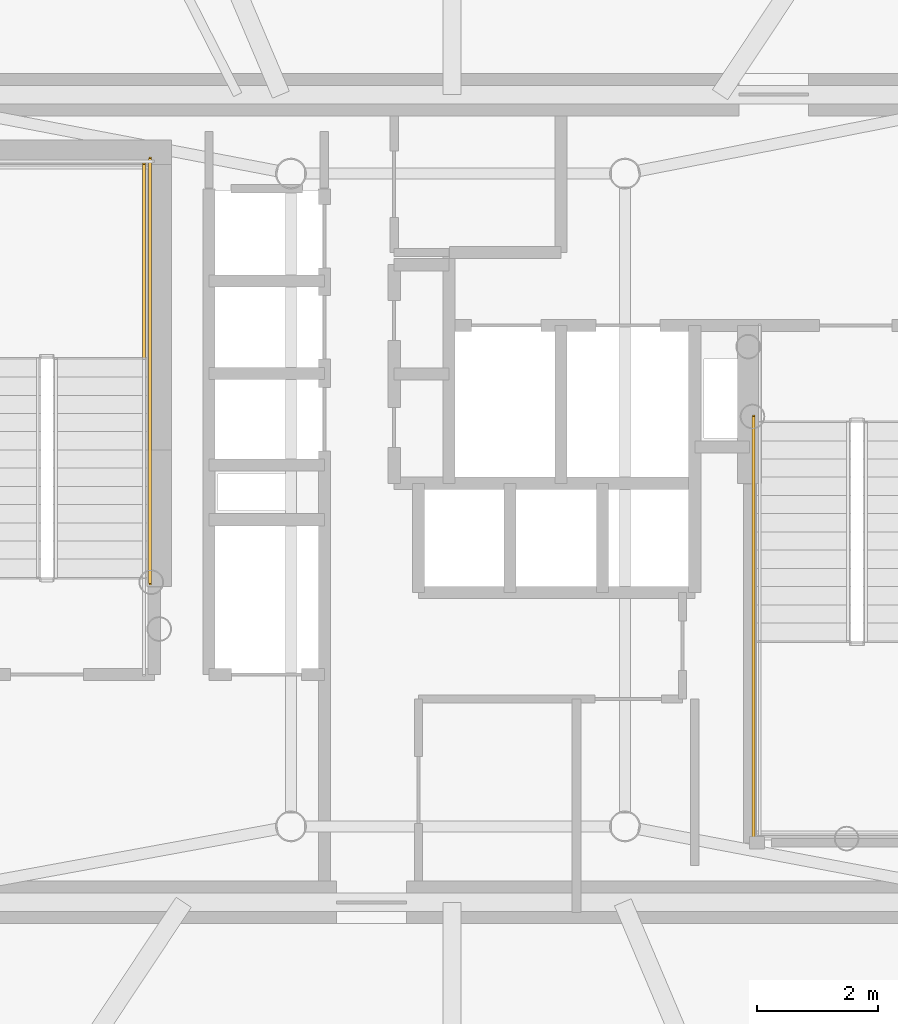
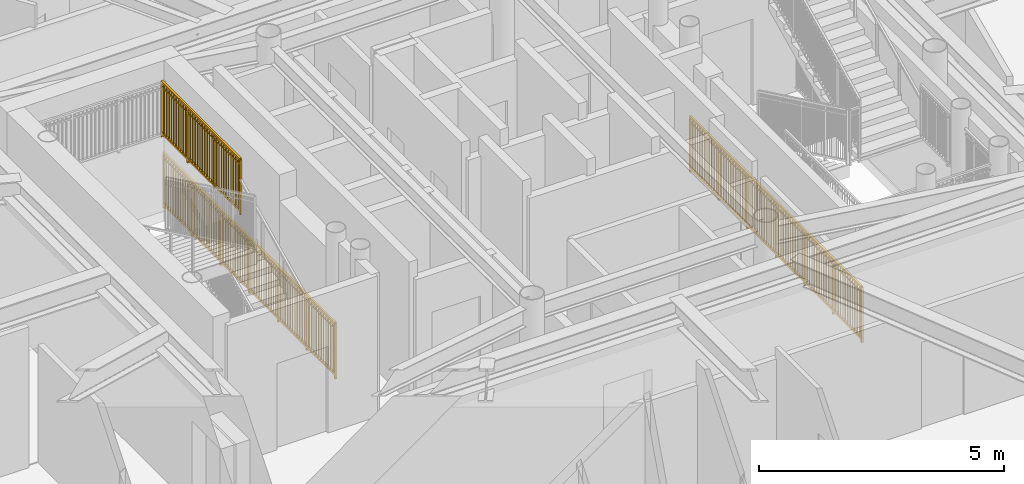
# One storey, part 18 of 22: 3 railings.
"""IFC4 building model written with IfcOpenShell, lengths in metres."""

from ifc_helpers import new_model, si_unit, direction, frame, origin, origin_2d, place, context, subcontext, project, spatial, rectangle, extrude, source, transform, mapped, material, type_object, element, save


model = new_model("IFC4")

# Units and contexts
model_context = context("Model", 3, precision=1e-05, world=origin(), true_north=direction((0.0, 1.0)))
body_context = subcontext(model_context, "Body", "Model", "MODEL_VIEW")
ifc_project = project(units=[si_unit("LENGTHUNIT", "METRE"), si_unit("AREAUNIT", "SQUARE_METRE"), si_unit("VOLUMEUNIT", "CUBIC_METRE"), si_unit("PLANEANGLEUNIT", "RADIAN"), si_unit("MASSUNIT", "GRAM", prefix="KILO")], contexts=[model_context])

# Site, building, storey
site_placement = place(None, origin())
site = spatial("IfcSite", under=ifc_project, at=site_placement, CompositionType="ELEMENT")
building_placement = place(site_placement, origin())
building = spatial("IfcBuilding", under=site, at=building_placement, Name="Linh Dai School and Residence Tower", CompositionType="ELEMENT")
storey_placement = place(building_placement, frame((0.0, 0.0, 214.050048828125)))
storey = spatial("IfcBuildingStorey", under=building, at=storey_placement, Name="L52", CompositionType="ELEMENT", Elevation=214.050048828125)

# Railings
ifc_material = material(Name="Structural Steel S355JR", Category="steel")
railing_type = type_object("IfcRailingType", Name="RL-ST-GUARD-1400", PredefinedType="GUARDRAIL", material=ifc_material)
shared_shape_1 = source(origin(), body_context, "Body", "SweptSolid", [
    extrude(rectangle(XDim=0.048095703125, YDim=0.048095703125, at=origin_2d()), frame((0.0, 0.0, 1.3759765625), z_axis=(0.0, 1.0, 0.0), x_axis=(-1.0, 0.0, 0.0)), (0.0, 0.0, 1.0), 7.0),
    extrude(rectangle(XDim=0.048095703125, YDim=0.048095703125, at=origin_2d()), frame((0.0, 0.0, 0.10009765625), z_axis=(0.0, 1.0, 0.0), x_axis=(-1.0, 0.0, 0.0)), (0.0, 0.0, 1.0), 7.0),
    extrude(rectangle(XDim=0.030029296875, YDim=0.030029296875, at=origin_2d()), frame((0.0, 0.0, 1.239990234375), z_axis=(0.0, 1.0, 0.0), x_axis=(-1.0, 0.0, 0.0)), (0.0, 0.0, 1.0), 7.0),
    extrude(rectangle(XDim=0.02001953125, YDim=0.02001953125, at=origin_2d()), frame((0.0, 0.09716796875, 0.10009765625)), (0.0, 0.0, 1.0), 1.251708984375),
    extrude(rectangle(XDim=0.02001953125, YDim=0.02001953125, at=origin_2d()), frame((0.0, 0.1943359375, 0.10009765625)), (0.0, 0.0, 1.0), 1.251708984375),
    extrude(rectangle(XDim=0.02001953125, YDim=0.02001953125, at=origin_2d()), frame((0.0, 0.291748046875, 0.10009765625)), (0.0, 0.0, 1.0), 1.251708984375),
    extrude(rectangle(XDim=0.02001953125, YDim=0.02001953125, at=origin_2d()), frame((0.0, 0.388916015625, 0.10009765625)), (0.0, 0.0, 1.0), 1.251708984375),
    extrude(rectangle(XDim=0.02001953125, YDim=0.02001953125, at=origin_2d()), frame((0.0, 0.486083984375, 0.10009765625)), (0.0, 0.0, 1.0), 1.251708984375),
    extrude(rectangle(XDim=0.02001953125, YDim=0.02001953125, at=origin_2d()), frame((0.0, 0.583251953125, 0.10009765625)), (0.0, 0.0, 1.0), 1.251708984375),
    extrude(rectangle(XDim=0.02001953125, YDim=0.02001953125, at=origin_2d()), frame((0.0, 0.6806640625, 0.10009765625)), (0.0, 0.0, 1.0), 1.251708984375),
    extrude(rectangle(XDim=0.02001953125, YDim=0.02001953125, at=origin_2d()), frame((0.0, 0.77783203125, 0.10009765625)), (0.0, 0.0, 1.0), 1.251708984375),
    extrude(rectangle(XDim=0.02001953125, YDim=0.02001953125, at=origin_2d()), frame((0.0, 0.875, 0.10009765625)), (0.0, 0.0, 1.0), 1.251708984375),
    extrude(rectangle(XDim=0.02001953125, YDim=0.02001953125, at=origin_2d()), frame((0.0, 0.97216796875, 0.10009765625)), (0.0, 0.0, 1.0), 1.251708984375),
    extrude(rectangle(XDim=0.02001953125, YDim=0.02001953125, at=origin_2d()), frame((0.0, 1.0693359375, 0.10009765625)), (0.0, 0.0, 1.0), 1.251708984375),
    extrude(rectangle(XDim=0.02001953125, YDim=0.02001953125, at=origin_2d()), frame((0.0, 1.263916015625, 0.10009765625)), (0.0, 0.0, 1.0), 1.251708984375),
    extrude(rectangle(XDim=0.02001953125, YDim=0.02001953125, at=origin_2d()), frame((0.0, 1.361083984375, 0.10009765625)), (0.0, 0.0, 1.0), 1.251708984375),
    extrude(rectangle(XDim=0.02001953125, YDim=0.02001953125, at=origin_2d()), frame((0.0, 1.458251953125, 0.10009765625)), (0.0, 0.0, 1.0), 1.251708984375),
    extrude(rectangle(XDim=0.02001953125, YDim=0.02001953125, at=origin_2d()), frame((0.0, 1.5556640625, 0.10009765625)), (0.0, 0.0, 1.0), 1.251708984375),
    extrude(rectangle(XDim=0.02001953125, YDim=0.02001953125, at=origin_2d()), frame((0.0, 1.65283203125, 0.10009765625)), (0.0, 0.0, 1.0), 1.251708984375),
    extrude(rectangle(XDim=0.02001953125, YDim=0.02001953125, at=origin_2d()), frame((0.0, 1.75, 0.10009765625)), (0.0, 0.0, 1.0), 1.251708984375),
    extrude(rectangle(XDim=0.02001953125, YDim=0.02001953125, at=origin_2d()), frame((0.0, 1.84716796875, 0.10009765625)), (0.0, 0.0, 1.0), 1.251708984375),
    extrude(rectangle(XDim=0.02001953125, YDim=0.02001953125, at=origin_2d()), frame((0.0, 1.9443359375, 0.10009765625)), (0.0, 0.0, 1.0), 1.251708984375),
    extrude(rectangle(XDim=0.02001953125, YDim=0.02001953125, at=origin_2d()), frame((0.0, 2.041748046875, 0.10009765625)), (0.0, 0.0, 1.0), 1.251708984375),
    extrude(rectangle(XDim=0.02001953125, YDim=0.02001953125, at=origin_2d()), frame((0.0, 2.138916015625, 0.10009765625)), (0.0, 0.0, 1.0), 1.251708984375),
    extrude(rectangle(XDim=0.02001953125, YDim=0.02001953125, at=origin_2d()), frame((0.0, 2.236083984375, 0.10009765625)), (0.0, 0.0, 1.0), 1.251708984375),
    extrude(rectangle(XDim=0.02001953125, YDim=0.02001953125, at=origin_2d()), frame((0.0, 2.4306640625, 0.10009765625)), (0.0, 0.0, 1.0), 1.251708984375),
    extrude(rectangle(XDim=0.02001953125, YDim=0.02001953125, at=origin_2d()), frame((0.0, 2.52783203125, 0.10009765625)), (0.0, 0.0, 1.0), 1.251708984375),
    extrude(rectangle(XDim=0.02001953125, YDim=0.02001953125, at=origin_2d()), frame((0.0, 2.625, 0.10009765625)), (0.0, 0.0, 1.0), 1.251708984375),
    extrude(rectangle(XDim=0.02001953125, YDim=0.02001953125, at=origin_2d()), frame((0.0, 2.72216796875, 0.10009765625)), (0.0, 0.0, 1.0), 1.251708984375),
    extrude(rectangle(XDim=0.02001953125, YDim=0.02001953125, at=origin_2d()), frame((0.0, 2.8193359375, 0.10009765625)), (0.0, 0.0, 1.0), 1.251708984375),
    extrude(rectangle(XDim=0.02001953125, YDim=0.02001953125, at=origin_2d()), frame((0.0, 2.916748046875, 0.10009765625)), (0.0, 0.0, 1.0), 1.251708984375),
    extrude(rectangle(XDim=0.02001953125, YDim=0.02001953125, at=origin_2d()), frame((0.0, 3.013916015625, 0.10009765625)), (0.0, 0.0, 1.0), 1.251708984375),
    extrude(rectangle(XDim=0.02001953125, YDim=0.02001953125, at=origin_2d()), frame((0.0, 3.111083984375, 0.10009765625)), (0.0, 0.0, 1.0), 1.251708984375),
    extrude(rectangle(XDim=0.02001953125, YDim=0.02001953125, at=origin_2d()), frame((0.0, 3.208251953125, 0.10009765625)), (0.0, 0.0, 1.0), 1.251708984375),
    extrude(rectangle(XDim=0.02001953125, YDim=0.02001953125, at=origin_2d()), frame((0.0, 3.3056640625, 0.10009765625)), (0.0, 0.0, 1.0), 1.251708984375),
    extrude(rectangle(XDim=0.02001953125, YDim=0.02001953125, at=origin_2d()), frame((0.0, 3.40283203125, 0.10009765625)), (0.0, 0.0, 1.0), 1.251708984375),
    extrude(rectangle(XDim=0.02001953125, YDim=0.02001953125, at=origin_2d()), frame((0.0, 3.59716796875, 0.10009765625)), (0.0, 0.0, 1.0), 1.251708984375),
    extrude(rectangle(XDim=0.02001953125, YDim=0.02001953125, at=origin_2d()), frame((0.0, 3.6943359375, 0.10009765625)), (0.0, 0.0, 1.0), 1.251708984375),
    extrude(rectangle(XDim=0.02001953125, YDim=0.02001953125, at=origin_2d()), frame((0.0, 3.791748046875, 0.10009765625)), (0.0, 0.0, 1.0), 1.251708984375),
    extrude(rectangle(XDim=0.02001953125, YDim=0.02001953125, at=origin_2d()), frame((0.0, 3.888916015625, 0.10009765625)), (0.0, 0.0, 1.0), 1.251708984375),
    extrude(rectangle(XDim=0.02001953125, YDim=0.02001953125, at=origin_2d()), frame((0.0, 3.986083984375, 0.10009765625)), (0.0, 0.0, 1.0), 1.251708984375),
    extrude(rectangle(XDim=0.02001953125, YDim=0.02001953125, at=origin_2d()), frame((0.0, 4.083251953125, 0.10009765625)), (0.0, 0.0, 1.0), 1.251708984375),
    extrude(rectangle(XDim=0.02001953125, YDim=0.02001953125, at=origin_2d()), frame((0.0, 4.1806640625, 0.10009765625)), (0.0, 0.0, 1.0), 1.251708984375),
    extrude(rectangle(XDim=0.02001953125, YDim=0.02001953125, at=origin_2d()), frame((0.0, 4.27783203125, 0.10009765625)), (0.0, 0.0, 1.0), 1.251708984375),
    extrude(rectangle(XDim=0.02001953125, YDim=0.02001953125, at=origin_2d()), frame((0.0, 4.375, 0.10009765625)), (0.0, 0.0, 1.0), 1.251708984375),
    extrude(rectangle(XDim=0.02001953125, YDim=0.02001953125, at=origin_2d()), frame((0.0, 4.47216796875, 0.10009765625)), (0.0, 0.0, 1.0), 1.251708984375),
    extrude(rectangle(XDim=0.02001953125, YDim=0.02001953125, at=origin_2d()), frame((0.0, 4.5693359375, 0.10009765625)), (0.0, 0.0, 1.0), 1.251708984375),
    extrude(rectangle(XDim=0.02001953125, YDim=0.02001953125, at=origin_2d()), frame((0.0, 4.763916015625, 0.10009765625)), (0.0, 0.0, 1.0), 1.251708984375),
    extrude(rectangle(XDim=0.02001953125, YDim=0.02001953125, at=origin_2d()), frame((0.0, 4.861083984375, 0.10009765625)), (0.0, 0.0, 1.0), 1.251708984375),
    extrude(rectangle(XDim=0.02001953125, YDim=0.02001953125, at=origin_2d()), frame((0.0, 4.958251953125, 0.10009765625)), (0.0, 0.0, 1.0), 1.251708984375),
    extrude(rectangle(XDim=0.02001953125, YDim=0.02001953125, at=origin_2d()), frame((0.0, 5.0556640625, 0.10009765625)), (0.0, 0.0, 1.0), 1.251708984375),
    extrude(rectangle(XDim=0.02001953125, YDim=0.02001953125, at=origin_2d()), frame((0.0, 5.15283203125, 0.10009765625)), (0.0, 0.0, 1.0), 1.251708984375),
    extrude(rectangle(XDim=0.02001953125, YDim=0.02001953125, at=origin_2d()), frame((0.0, 5.25, 0.10009765625)), (0.0, 0.0, 1.0), 1.251708984375),
    extrude(rectangle(XDim=0.02001953125, YDim=0.02001953125, at=origin_2d()), frame((0.0, 5.34716796875, 0.10009765625)), (0.0, 0.0, 1.0), 1.251708984375),
    extrude(rectangle(XDim=0.02001953125, YDim=0.02001953125, at=origin_2d()), frame((0.0, 5.4443359375, 0.10009765625)), (0.0, 0.0, 1.0), 1.251708984375),
    extrude(rectangle(XDim=0.02001953125, YDim=0.02001953125, at=origin_2d()), frame((0.0, 5.541748046875, 0.10009765625)), (0.0, 0.0, 1.0), 1.251708984375),
    extrude(rectangle(XDim=0.02001953125, YDim=0.02001953125, at=origin_2d()), frame((0.0, 5.638916015625, 0.10009765625)), (0.0, 0.0, 1.0), 1.251708984375),
    extrude(rectangle(XDim=0.02001953125, YDim=0.02001953125, at=origin_2d()), frame((0.0, 5.736083984375, 0.10009765625)), (0.0, 0.0, 1.0), 1.251708984375),
    extrude(rectangle(XDim=0.02001953125, YDim=0.02001953125, at=origin_2d()), frame((0.0, 5.9306640625, 0.10009765625)), (0.0, 0.0, 1.0), 1.251708984375),
    extrude(rectangle(XDim=0.02001953125, YDim=0.02001953125, at=origin_2d()), frame((0.0, 6.02783203125, 0.10009765625)), (0.0, 0.0, 1.0), 1.251708984375),
    extrude(rectangle(XDim=0.02001953125, YDim=0.02001953125, at=origin_2d()), frame((0.0, 6.125, 0.10009765625)), (0.0, 0.0, 1.0), 1.251708984375),
    extrude(rectangle(XDim=0.02001953125, YDim=0.02001953125, at=origin_2d()), frame((0.0, 6.22216796875, 0.10009765625)), (0.0, 0.0, 1.0), 1.251708984375),
    extrude(rectangle(XDim=0.02001953125, YDim=0.02001953125, at=origin_2d()), frame((0.0, 6.3193359375, 0.10009765625)), (0.0, 0.0, 1.0), 1.251708984375),
    extrude(rectangle(XDim=0.02001953125, YDim=0.02001953125, at=origin_2d()), frame((0.0, 6.416748046875, 0.10009765625)), (0.0, 0.0, 1.0), 1.251708984375),
    extrude(rectangle(XDim=0.02001953125, YDim=0.02001953125, at=origin_2d()), frame((0.0, 6.513916015625, 0.10009765625)), (0.0, 0.0, 1.0), 1.251708984375),
    extrude(rectangle(XDim=0.02001953125, YDim=0.02001953125, at=origin_2d()), frame((0.0, 6.611083984375, 0.10009765625)), (0.0, 0.0, 1.0), 1.251708984375),
    extrude(rectangle(XDim=0.02001953125, YDim=0.02001953125, at=origin_2d()), frame((0.0, 6.708251953125, 0.10009765625)), (0.0, 0.0, 1.0), 1.251708984375),
    extrude(rectangle(XDim=0.02001953125, YDim=0.02001953125, at=origin_2d()), frame((0.0, 6.8056640625, 0.10009765625)), (0.0, 0.0, 1.0), 1.251708984375),
    extrude(rectangle(XDim=0.02001953125, YDim=0.02001953125, at=origin_2d()), frame((0.0, 6.90283203125, 0.10009765625)), (0.0, 0.0, 1.0), 1.251708984375),
    extrude(rectangle(XDim=0.0419921875, YDim=0.0419921875, at=origin_2d()), origin(), (0.0, 0.0, 1.0), 1.3759765625),
    extrude(rectangle(XDim=0.0419921875, YDim=0.0419921875, at=origin_2d()), frame((0.0, 1.166748046875, 0.0)), (0.0, 0.0, 1.0), 1.3759765625),
    extrude(rectangle(XDim=0.0419921875, YDim=0.0419921875, at=origin_2d()), frame((0.0, 2.333251953125, 0.0)), (0.0, 0.0, 1.0), 1.3759765625),
    extrude(rectangle(XDim=0.0419921875, YDim=0.0419921875, at=origin_2d()), frame((0.0, 3.5, 0.0)), (0.0, 0.0, 1.0), 1.3759765625),
    extrude(rectangle(XDim=0.0419921875, YDim=0.0419921875, at=origin_2d()), frame((0.0, 4.666748046875, 0.0)), (0.0, 0.0, 1.0), 1.3759765625),
    extrude(rectangle(XDim=0.0419921875, YDim=0.0419921875, at=origin_2d()), frame((0.0, 5.833251953125, 0.0)), (0.0, 0.0, 1.0), 1.3759765625),
    extrude(rectangle(XDim=0.0419921875, YDim=0.0419921875, at=origin_2d()), frame((0.0, 7.0, 0.0)), (0.0, 0.0, 1.0), 1.3759765625),
])
railing_1_placement = place(storey_placement, frame((31.030029296875, 25.60009765625, 0.0)))
element("IfcRailing", 1, at=railing_1_placement, inside=storey, type_object=railing_type, Name="L52 ST1 stair guard 10", PredefinedType="GUARDRAIL", context=body_context, shape_type="MappedRepresentation", body=[
    mapped(shared_shape_1, transform((0.0, 0.0, 0.0), x_axis=(1.0, 0.0, 0.0), y_axis=(0.0, 1.0, 0.0), z_axis=(0.0, 0.0, 1.0), scale=1.0)),
])
shared_shape_2 = source(origin(), body_context, "Body", "SweptSolid", [
    extrude(rectangle(XDim=0.048095703125, YDim=0.048095703125, at=origin_2d()), frame((0.0, 0.0, 1.3759765625), z_axis=(0.0, 1.0, 0.0), x_axis=(-1.0, 0.0, 0.0)), (0.0, 0.0, 1.0), 3.199951171875),
    extrude(rectangle(XDim=0.048095703125, YDim=0.048095703125, at=origin_2d()), frame((0.0, 0.0, 0.10009765625), z_axis=(0.0, 1.0, 0.0), x_axis=(-1.0, 0.0, 0.0)), (0.0, 0.0, 1.0), 3.199951171875),
    extrude(rectangle(XDim=0.030029296875, YDim=0.030029296875, at=origin_2d()), frame((0.0, 0.0, 1.239990234375), z_axis=(0.0, 1.0, 0.0), x_axis=(-1.0, 0.0, 0.0)), (0.0, 0.0, 1.0), 3.199951171875),
    extrude(rectangle(XDim=0.02001953125, YDim=0.02001953125, at=origin_2d()), frame((0.0, 0.096923828125, 0.10009765625)), (0.0, 0.0, 1.0), 1.251708984375),
    extrude(rectangle(XDim=0.02001953125, YDim=0.02001953125, at=origin_2d()), frame((0.0, 0.19384765625, 0.10009765625)), (0.0, 0.0, 1.0), 1.251708984375),
    extrude(rectangle(XDim=0.02001953125, YDim=0.02001953125, at=origin_2d()), frame((0.0, 0.291015625, 0.10009765625)), (0.0, 0.0, 1.0), 1.251708984375),
    extrude(rectangle(XDim=0.02001953125, YDim=0.02001953125, at=origin_2d()), frame((0.0, 0.387939453125, 0.10009765625)), (0.0, 0.0, 1.0), 1.251708984375),
    extrude(rectangle(XDim=0.02001953125, YDim=0.02001953125, at=origin_2d()), frame((0.0, 0.48486328125, 0.10009765625)), (0.0, 0.0, 1.0), 1.251708984375),
    extrude(rectangle(XDim=0.02001953125, YDim=0.02001953125, at=origin_2d()), frame((0.0, 0.581787109375, 0.10009765625)), (0.0, 0.0, 1.0), 1.251708984375),
    extrude(rectangle(XDim=0.02001953125, YDim=0.02001953125, at=origin_2d()), frame((0.0, 0.6787109375, 0.10009765625)), (0.0, 0.0, 1.0), 1.251708984375),
    extrude(rectangle(XDim=0.02001953125, YDim=0.02001953125, at=origin_2d()), frame((0.0, 0.775634765625, 0.10009765625)), (0.0, 0.0, 1.0), 1.251708984375),
    extrude(rectangle(XDim=0.02001953125, YDim=0.02001953125, at=origin_2d()), frame((0.0, 0.872802734375, 0.10009765625)), (0.0, 0.0, 1.0), 1.251708984375),
    extrude(rectangle(XDim=0.02001953125, YDim=0.02001953125, at=origin_2d()), frame((0.0, 0.9697265625, 0.10009765625)), (0.0, 0.0, 1.0), 1.251708984375),
    extrude(rectangle(XDim=0.02001953125, YDim=0.02001953125, at=origin_2d()), frame((0.0, 1.16357421875, 0.10009765625)), (0.0, 0.0, 1.0), 1.251708984375),
    extrude(rectangle(XDim=0.02001953125, YDim=0.02001953125, at=origin_2d()), frame((0.0, 1.260498046875, 0.10009765625)), (0.0, 0.0, 1.0), 1.251708984375),
    extrude(rectangle(XDim=0.02001953125, YDim=0.02001953125, at=origin_2d()), frame((0.0, 1.357666015625, 0.10009765625)), (0.0, 0.0, 1.0), 1.251708984375),
    extrude(rectangle(XDim=0.02001953125, YDim=0.02001953125, at=origin_2d()), frame((0.0, 1.45458984375, 0.10009765625)), (0.0, 0.0, 1.0), 1.251708984375),
    extrude(rectangle(XDim=0.02001953125, YDim=0.02001953125, at=origin_2d()), frame((0.0, 1.551513671875, 0.10009765625)), (0.0, 0.0, 1.0), 1.251708984375),
    extrude(rectangle(XDim=0.02001953125, YDim=0.02001953125, at=origin_2d()), frame((0.0, 1.6484375, 0.10009765625)), (0.0, 0.0, 1.0), 1.251708984375),
    extrude(rectangle(XDim=0.02001953125, YDim=0.02001953125, at=origin_2d()), frame((0.0, 1.745361328125, 0.10009765625)), (0.0, 0.0, 1.0), 1.251708984375),
    extrude(rectangle(XDim=0.02001953125, YDim=0.02001953125, at=origin_2d()), frame((0.0, 1.84228515625, 0.10009765625)), (0.0, 0.0, 1.0), 1.251708984375),
    extrude(rectangle(XDim=0.02001953125, YDim=0.02001953125, at=origin_2d()), frame((0.0, 1.939453125, 0.10009765625)), (0.0, 0.0, 1.0), 1.251708984375),
    extrude(rectangle(XDim=0.02001953125, YDim=0.02001953125, at=origin_2d()), frame((0.0, 2.036376953125, 0.10009765625)), (0.0, 0.0, 1.0), 1.251708984375),
    extrude(rectangle(XDim=0.02001953125, YDim=0.02001953125, at=origin_2d()), frame((0.0, 2.230224609375, 0.10009765625)), (0.0, 0.0, 1.0), 1.251708984375),
    extrude(rectangle(XDim=0.02001953125, YDim=0.02001953125, at=origin_2d()), frame((0.0, 2.3271484375, 0.10009765625)), (0.0, 0.0, 1.0), 1.251708984375),
    extrude(rectangle(XDim=0.02001953125, YDim=0.02001953125, at=origin_2d()), frame((0.0, 2.42431640625, 0.10009765625)), (0.0, 0.0, 1.0), 1.251708984375),
    extrude(rectangle(XDim=0.02001953125, YDim=0.02001953125, at=origin_2d()), frame((0.0, 2.521240234375, 0.10009765625)), (0.0, 0.0, 1.0), 1.251708984375),
    extrude(rectangle(XDim=0.02001953125, YDim=0.02001953125, at=origin_2d()), frame((0.0, 2.6181640625, 0.10009765625)), (0.0, 0.0, 1.0), 1.251708984375),
    extrude(rectangle(XDim=0.02001953125, YDim=0.02001953125, at=origin_2d()), frame((0.0, 2.715087890625, 0.10009765625)), (0.0, 0.0, 1.0), 1.251708984375),
    extrude(rectangle(XDim=0.02001953125, YDim=0.02001953125, at=origin_2d()), frame((0.0, 2.81201171875, 0.10009765625)), (0.0, 0.0, 1.0), 1.251708984375),
    extrude(rectangle(XDim=0.02001953125, YDim=0.02001953125, at=origin_2d()), frame((0.0, 2.908935546875, 0.10009765625)), (0.0, 0.0, 1.0), 1.251708984375),
    extrude(rectangle(XDim=0.02001953125, YDim=0.02001953125, at=origin_2d()), frame((0.0, 3.006103515625, 0.10009765625)), (0.0, 0.0, 1.0), 1.251708984375),
    extrude(rectangle(XDim=0.02001953125, YDim=0.02001953125, at=origin_2d()), frame((0.0, 3.10302734375, 0.10009765625)), (0.0, 0.0, 1.0), 1.251708984375),
    extrude(rectangle(XDim=0.0419921875, YDim=0.0419921875, at=origin_2d()), origin(), (0.0, 0.0, 1.0), 1.3759765625),
    extrude(rectangle(XDim=0.0419921875, YDim=0.0419921875, at=origin_2d()), frame((0.0, 1.066650390625, 0.0)), (0.0, 0.0, 1.0), 1.3759765625),
    extrude(rectangle(XDim=0.0419921875, YDim=0.0419921875, at=origin_2d()), frame((0.0, 2.13330078125, 0.0)), (0.0, 0.0, 1.0), 1.3759765625),
    extrude(rectangle(XDim=0.0419921875, YDim=0.0419921875, at=origin_2d()), frame((0.0, 3.199951171875, 0.0)), (0.0, 0.0, 1.0), 1.3759765625),
])
railing_2_placement = place(storey_placement, frame((30.929931640625, 29.300048828125, 1.875)))
element("IfcRailing", 2, at=railing_2_placement, inside=storey, type_object=railing_type, Name="L52 ST1 stair guard 3", PredefinedType="GUARDRAIL", context=body_context, shape_type="MappedRepresentation", body=[
    mapped(shared_shape_2, transform((0.0, 0.0, 0.0), x_axis=(1.0, 0.0, 0.0), y_axis=(0.0, 1.0, 0.0), z_axis=(0.0, 0.0, 1.0), scale=1.0)),
])
shared_shape_3 = source(origin(), body_context, "Body", "SweptSolid", [
    extrude(rectangle(XDim=0.048095703125, YDim=0.048095703125, at=origin_2d()), frame((0.0, 0.0, 1.3759765625), z_axis=(0.0, -1.0, 0.0), x_axis=(1.0, 0.0, 0.0)), (0.0, 0.0, 1.0), 7.0),
    extrude(rectangle(XDim=0.048095703125, YDim=0.048095703125, at=origin_2d()), frame((0.0, 0.0, 0.10009765625), z_axis=(0.0, -1.0, 0.0), x_axis=(1.0, 0.0, 0.0)), (0.0, 0.0, 1.0), 7.0),
    extrude(rectangle(XDim=0.030029296875, YDim=0.030029296875, at=origin_2d()), frame((0.0, 0.0, 1.239990234375), z_axis=(0.0, -1.0, 0.0), x_axis=(1.0, 0.0, 0.0)), (0.0, 0.0, 1.0), 7.0),
    extrude(rectangle(XDim=0.02001953125, YDim=0.02001953125, at=origin_2d()), frame((0.0, -0.09716796875, 0.10009765625)), (0.0, 0.0, 1.0), 1.251708984375),
    extrude(rectangle(XDim=0.02001953125, YDim=0.02001953125, at=origin_2d()), frame((0.0, -0.1943359375, 0.10009765625)), (0.0, 0.0, 1.0), 1.251708984375),
    extrude(rectangle(XDim=0.02001953125, YDim=0.02001953125, at=origin_2d()), frame((0.0, -0.291748046875, 0.10009765625)), (0.0, 0.0, 1.0), 1.251708984375),
    extrude(rectangle(XDim=0.02001953125, YDim=0.02001953125, at=origin_2d()), frame((0.0, -0.388916015625, 0.10009765625)), (0.0, 0.0, 1.0), 1.251708984375),
    extrude(rectangle(XDim=0.02001953125, YDim=0.02001953125, at=origin_2d()), frame((0.0, -0.486083984375, 0.10009765625)), (0.0, 0.0, 1.0), 1.251708984375),
    extrude(rectangle(XDim=0.02001953125, YDim=0.02001953125, at=origin_2d()), frame((0.0, -0.583251953125, 0.10009765625)), (0.0, 0.0, 1.0), 1.251708984375),
    extrude(rectangle(XDim=0.02001953125, YDim=0.02001953125, at=origin_2d()), frame((0.0, -0.6806640625, 0.10009765625)), (0.0, 0.0, 1.0), 1.251708984375),
    extrude(rectangle(XDim=0.02001953125, YDim=0.02001953125, at=origin_2d()), frame((0.0, -0.77783203125, 0.10009765625)), (0.0, 0.0, 1.0), 1.251708984375),
    extrude(rectangle(XDim=0.02001953125, YDim=0.02001953125, at=origin_2d()), frame((0.0, -0.875, 0.10009765625)), (0.0, 0.0, 1.0), 1.251708984375),
    extrude(rectangle(XDim=0.02001953125, YDim=0.02001953125, at=origin_2d()), frame((0.0, -0.97216796875, 0.10009765625)), (0.0, 0.0, 1.0), 1.251708984375),
    extrude(rectangle(XDim=0.02001953125, YDim=0.02001953125, at=origin_2d()), frame((0.0, -1.0693359375, 0.10009765625)), (0.0, 0.0, 1.0), 1.251708984375),
    extrude(rectangle(XDim=0.02001953125, YDim=0.02001953125, at=origin_2d()), frame((0.0, -1.263916015625, 0.10009765625)), (0.0, 0.0, 1.0), 1.251708984375),
    extrude(rectangle(XDim=0.02001953125, YDim=0.02001953125, at=origin_2d()), frame((0.0, -1.361083984375, 0.10009765625)), (0.0, 0.0, 1.0), 1.251708984375),
    extrude(rectangle(XDim=0.02001953125, YDim=0.02001953125, at=origin_2d()), frame((0.0, -1.458251953125, 0.10009765625)), (0.0, 0.0, 1.0), 1.251708984375),
    extrude(rectangle(XDim=0.02001953125, YDim=0.02001953125, at=origin_2d()), frame((0.0, -1.5556640625, 0.10009765625)), (0.0, 0.0, 1.0), 1.251708984375),
    extrude(rectangle(XDim=0.02001953125, YDim=0.02001953125, at=origin_2d()), frame((0.0, -1.65283203125, 0.10009765625)), (0.0, 0.0, 1.0), 1.251708984375),
    extrude(rectangle(XDim=0.02001953125, YDim=0.02001953125, at=origin_2d()), frame((0.0, -1.75, 0.10009765625)), (0.0, 0.0, 1.0), 1.251708984375),
    extrude(rectangle(XDim=0.02001953125, YDim=0.02001953125, at=origin_2d()), frame((0.0, -1.84716796875, 0.10009765625)), (0.0, 0.0, 1.0), 1.251708984375),
    extrude(rectangle(XDim=0.02001953125, YDim=0.02001953125, at=origin_2d()), frame((0.0, -1.9443359375, 0.10009765625)), (0.0, 0.0, 1.0), 1.251708984375),
    extrude(rectangle(XDim=0.02001953125, YDim=0.02001953125, at=origin_2d()), frame((0.0, -2.041748046875, 0.10009765625)), (0.0, 0.0, 1.0), 1.251708984375),
    extrude(rectangle(XDim=0.02001953125, YDim=0.02001953125, at=origin_2d()), frame((0.0, -2.138916015625, 0.10009765625)), (0.0, 0.0, 1.0), 1.251708984375),
    extrude(rectangle(XDim=0.02001953125, YDim=0.02001953125, at=origin_2d()), frame((0.0, -2.236083984375, 0.10009765625)), (0.0, 0.0, 1.0), 1.251708984375),
    extrude(rectangle(XDim=0.02001953125, YDim=0.02001953125, at=origin_2d()), frame((0.0, -2.4306640625, 0.10009765625)), (0.0, 0.0, 1.0), 1.251708984375),
    extrude(rectangle(XDim=0.02001953125, YDim=0.02001953125, at=origin_2d()), frame((0.0, -2.52783203125, 0.10009765625)), (0.0, 0.0, 1.0), 1.251708984375),
    extrude(rectangle(XDim=0.02001953125, YDim=0.02001953125, at=origin_2d()), frame((0.0, -2.625, 0.10009765625)), (0.0, 0.0, 1.0), 1.251708984375),
    extrude(rectangle(XDim=0.02001953125, YDim=0.02001953125, at=origin_2d()), frame((0.0, -2.72216796875, 0.10009765625)), (0.0, 0.0, 1.0), 1.251708984375),
    extrude(rectangle(XDim=0.02001953125, YDim=0.02001953125, at=origin_2d()), frame((0.0, -2.8193359375, 0.10009765625)), (0.0, 0.0, 1.0), 1.251708984375),
    extrude(rectangle(XDim=0.02001953125, YDim=0.02001953125, at=origin_2d()), frame((0.0, -2.916748046875, 0.10009765625)), (0.0, 0.0, 1.0), 1.251708984375),
    extrude(rectangle(XDim=0.02001953125, YDim=0.02001953125, at=origin_2d()), frame((0.0, -3.013916015625, 0.10009765625)), (0.0, 0.0, 1.0), 1.251708984375),
    extrude(rectangle(XDim=0.02001953125, YDim=0.02001953125, at=origin_2d()), frame((0.0, -3.111083984375, 0.10009765625)), (0.0, 0.0, 1.0), 1.251708984375),
    extrude(rectangle(XDim=0.02001953125, YDim=0.02001953125, at=origin_2d()), frame((0.0, -3.208251953125, 0.10009765625)), (0.0, 0.0, 1.0), 1.251708984375),
    extrude(rectangle(XDim=0.02001953125, YDim=0.02001953125, at=origin_2d()), frame((0.0, -3.3056640625, 0.10009765625)), (0.0, 0.0, 1.0), 1.251708984375),
    extrude(rectangle(XDim=0.02001953125, YDim=0.02001953125, at=origin_2d()), frame((0.0, -3.40283203125, 0.10009765625)), (0.0, 0.0, 1.0), 1.251708984375),
    extrude(rectangle(XDim=0.02001953125, YDim=0.02001953125, at=origin_2d()), frame((0.0, -3.59716796875, 0.10009765625)), (0.0, 0.0, 1.0), 1.251708984375),
    extrude(rectangle(XDim=0.02001953125, YDim=0.02001953125, at=origin_2d()), frame((0.0, -3.6943359375, 0.10009765625)), (0.0, 0.0, 1.0), 1.251708984375),
    extrude(rectangle(XDim=0.02001953125, YDim=0.02001953125, at=origin_2d()), frame((0.0, -3.791748046875, 0.10009765625)), (0.0, 0.0, 1.0), 1.251708984375),
    extrude(rectangle(XDim=0.02001953125, YDim=0.02001953125, at=origin_2d()), frame((0.0, -3.888916015625, 0.10009765625)), (0.0, 0.0, 1.0), 1.251708984375),
    extrude(rectangle(XDim=0.02001953125, YDim=0.02001953125, at=origin_2d()), frame((0.0, -3.986083984375, 0.10009765625)), (0.0, 0.0, 1.0), 1.251708984375),
    extrude(rectangle(XDim=0.02001953125, YDim=0.02001953125, at=origin_2d()), frame((0.0, -4.083251953125, 0.10009765625)), (0.0, 0.0, 1.0), 1.251708984375),
    extrude(rectangle(XDim=0.02001953125, YDim=0.02001953125, at=origin_2d()), frame((0.0, -4.1806640625, 0.10009765625)), (0.0, 0.0, 1.0), 1.251708984375),
    extrude(rectangle(XDim=0.02001953125, YDim=0.02001953125, at=origin_2d()), frame((0.0, -4.27783203125, 0.10009765625)), (0.0, 0.0, 1.0), 1.251708984375),
    extrude(rectangle(XDim=0.02001953125, YDim=0.02001953125, at=origin_2d()), frame((0.0, -4.375, 0.10009765625)), (0.0, 0.0, 1.0), 1.251708984375),
    extrude(rectangle(XDim=0.02001953125, YDim=0.02001953125, at=origin_2d()), frame((0.0, -4.47216796875, 0.10009765625)), (0.0, 0.0, 1.0), 1.251708984375),
    extrude(rectangle(XDim=0.02001953125, YDim=0.02001953125, at=origin_2d()), frame((0.0, -4.5693359375, 0.10009765625)), (0.0, 0.0, 1.0), 1.251708984375),
    extrude(rectangle(XDim=0.02001953125, YDim=0.02001953125, at=origin_2d()), frame((0.0, -4.763916015625, 0.10009765625)), (0.0, 0.0, 1.0), 1.251708984375),
    extrude(rectangle(XDim=0.02001953125, YDim=0.02001953125, at=origin_2d()), frame((0.0, -4.861083984375, 0.10009765625)), (0.0, 0.0, 1.0), 1.251708984375),
    extrude(rectangle(XDim=0.02001953125, YDim=0.02001953125, at=origin_2d()), frame((0.0, -4.958251953125, 0.10009765625)), (0.0, 0.0, 1.0), 1.251708984375),
    extrude(rectangle(XDim=0.02001953125, YDim=0.02001953125, at=origin_2d()), frame((0.0, -5.0556640625, 0.10009765625)), (0.0, 0.0, 1.0), 1.251708984375),
    extrude(rectangle(XDim=0.02001953125, YDim=0.02001953125, at=origin_2d()), frame((0.0, -5.15283203125, 0.10009765625)), (0.0, 0.0, 1.0), 1.251708984375),
    extrude(rectangle(XDim=0.02001953125, YDim=0.02001953125, at=origin_2d()), frame((0.0, -5.25, 0.10009765625)), (0.0, 0.0, 1.0), 1.251708984375),
    extrude(rectangle(XDim=0.02001953125, YDim=0.02001953125, at=origin_2d()), frame((0.0, -5.34716796875, 0.10009765625)), (0.0, 0.0, 1.0), 1.251708984375),
    extrude(rectangle(XDim=0.02001953125, YDim=0.02001953125, at=origin_2d()), frame((0.0, -5.4443359375, 0.10009765625)), (0.0, 0.0, 1.0), 1.251708984375),
    extrude(rectangle(XDim=0.02001953125, YDim=0.02001953125, at=origin_2d()), frame((0.0, -5.541748046875, 0.10009765625)), (0.0, 0.0, 1.0), 1.251708984375),
    extrude(rectangle(XDim=0.02001953125, YDim=0.02001953125, at=origin_2d()), frame((0.0, -5.638916015625, 0.10009765625)), (0.0, 0.0, 1.0), 1.251708984375),
    extrude(rectangle(XDim=0.02001953125, YDim=0.02001953125, at=origin_2d()), frame((0.0, -5.736083984375, 0.10009765625)), (0.0, 0.0, 1.0), 1.251708984375),
    extrude(rectangle(XDim=0.02001953125, YDim=0.02001953125, at=origin_2d()), frame((0.0, -5.9306640625, 0.10009765625)), (0.0, 0.0, 1.0), 1.251708984375),
    extrude(rectangle(XDim=0.02001953125, YDim=0.02001953125, at=origin_2d()), frame((0.0, -6.02783203125, 0.10009765625)), (0.0, 0.0, 1.0), 1.251708984375),
    extrude(rectangle(XDim=0.02001953125, YDim=0.02001953125, at=origin_2d()), frame((0.0, -6.125, 0.10009765625)), (0.0, 0.0, 1.0), 1.251708984375),
    extrude(rectangle(XDim=0.02001953125, YDim=0.02001953125, at=origin_2d()), frame((0.0, -6.22216796875, 0.10009765625)), (0.0, 0.0, 1.0), 1.251708984375),
    extrude(rectangle(XDim=0.02001953125, YDim=0.02001953125, at=origin_2d()), frame((0.0, -6.3193359375, 0.10009765625)), (0.0, 0.0, 1.0), 1.251708984375),
    extrude(rectangle(XDim=0.02001953125, YDim=0.02001953125, at=origin_2d()), frame((0.0, -6.416748046875, 0.10009765625)), (0.0, 0.0, 1.0), 1.251708984375),
    extrude(rectangle(XDim=0.02001953125, YDim=0.02001953125, at=origin_2d()), frame((0.0, -6.513916015625, 0.10009765625)), (0.0, 0.0, 1.0), 1.251708984375),
    extrude(rectangle(XDim=0.02001953125, YDim=0.02001953125, at=origin_2d()), frame((0.0, -6.611083984375, 0.10009765625)), (0.0, 0.0, 1.0), 1.251708984375),
    extrude(rectangle(XDim=0.02001953125, YDim=0.02001953125, at=origin_2d()), frame((0.0, -6.708251953125, 0.10009765625)), (0.0, 0.0, 1.0), 1.251708984375),
    extrude(rectangle(XDim=0.02001953125, YDim=0.02001953125, at=origin_2d()), frame((0.0, -6.8056640625, 0.10009765625)), (0.0, 0.0, 1.0), 1.251708984375),
    extrude(rectangle(XDim=0.02001953125, YDim=0.02001953125, at=origin_2d()), frame((0.0, -6.90283203125, 0.10009765625)), (0.0, 0.0, 1.0), 1.251708984375),
    extrude(rectangle(XDim=0.0419921875, YDim=0.0419921875, at=origin_2d()), origin(), (0.0, 0.0, 1.0), 1.3759765625),
    extrude(rectangle(XDim=0.0419921875, YDim=0.0419921875, at=origin_2d()), frame((0.0, -1.166748046875, 0.0)), (0.0, 0.0, 1.0), 1.3759765625),
    extrude(rectangle(XDim=0.0419921875, YDim=0.0419921875, at=origin_2d()), frame((0.0, -2.333251953125, 0.0)), (0.0, 0.0, 1.0), 1.3759765625),
    extrude(rectangle(XDim=0.0419921875, YDim=0.0419921875, at=origin_2d()), frame((0.0, -3.5, 0.0)), (0.0, 0.0, 1.0), 1.3759765625),
    extrude(rectangle(XDim=0.0419921875, YDim=0.0419921875, at=origin_2d()), frame((0.0, -4.666748046875, 0.0)), (0.0, 0.0, 1.0), 1.3759765625),
    extrude(rectangle(XDim=0.0419921875, YDim=0.0419921875, at=origin_2d()), frame((0.0, -5.833251953125, 0.0)), (0.0, 0.0, 1.0), 1.3759765625),
    extrude(rectangle(XDim=0.0419921875, YDim=0.0419921875, at=origin_2d()), frame((0.0, -7.0, 0.0)), (0.0, 0.0, 1.0), 1.3759765625),
])
railing_3_placement = place(storey_placement, frame((40.969970703125, 28.35009765625, 0.0)))
element("IfcRailing", 3, at=railing_3_placement, inside=storey, type_object=railing_type, Name="L52 ST2 stair guard 10", PredefinedType="GUARDRAIL", context=body_context, shape_type="MappedRepresentation", body=[
    mapped(shared_shape_3, transform((0.0, 0.0, 0.0), x_axis=(1.0, 0.0, 0.0), y_axis=(0.0, 1.0, 0.0), z_axis=(0.0, 0.0, 1.0), scale=1.0)),
])

save(model, "model.ifc")
